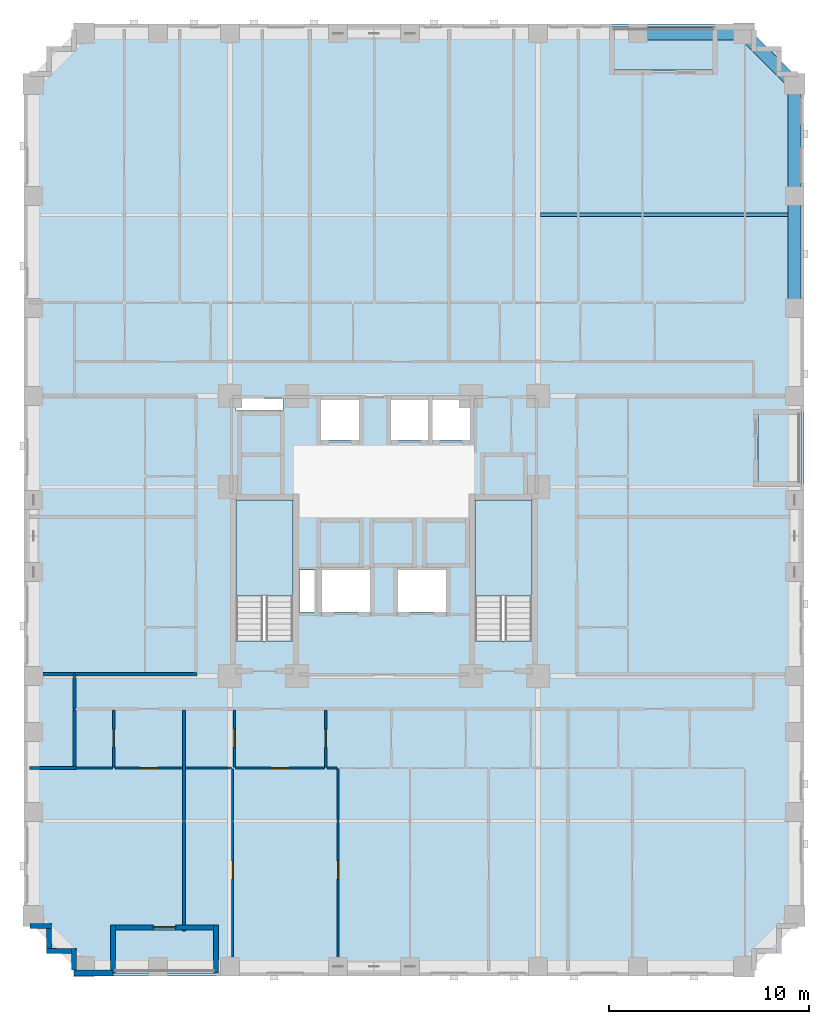
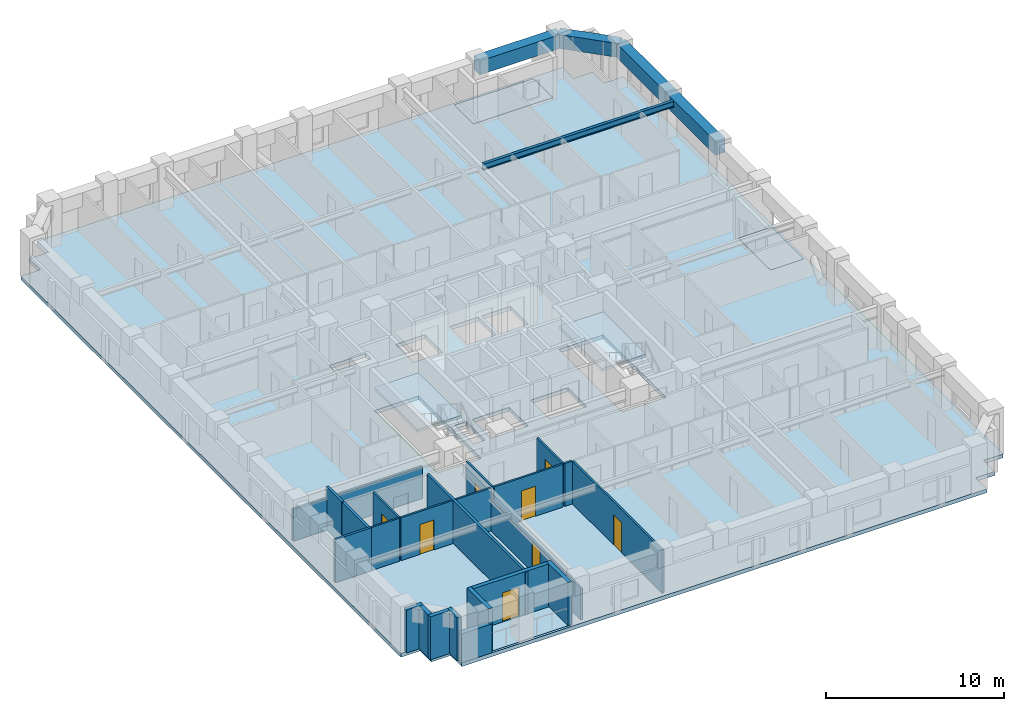
# One storey, part 2 of 13: 23 walls, 8 doors, 6 slabs, 5 beams, 8 openings, 2 elements without a shape of their own.
"""IFC4 building model written with IfcOpenShell, lengths in metres."""

from ifc_helpers import new_model, si_unit, derived_unit, direction, frame, frame_2d, origin, origin_2d, place, context, subcontext, project, spatial, polyline, rectangle, i_section, outline, extrude, material, layer, layer_set, material_profile, profile_set, type_object, element, fill, aggregate, save


model = new_model("IFC4")

# Units and contexts
model_context = context("Model", 3, precision=1e-05, world=origin(), true_north=direction((0.0, 1.0)))
body_context = subcontext(model_context, "Body", "Model", "MODEL_VIEW")
ifc_project = project(units=[si_unit("LENGTHUNIT", "METRE"), si_unit("AREAUNIT", "SQUARE_METRE"), si_unit("VOLUMEUNIT", "CUBIC_METRE"), si_unit("PLANEANGLEUNIT", "RADIAN"), si_unit("MASSUNIT", "GRAM", prefix="KILO"), derived_unit("THERMALTRANSMITTANCEUNIT", [(si_unit("MASSUNIT", "GRAM", prefix="KILO"), 1), (si_unit("TIMEUNIT", "SECOND"), -3), (si_unit("THERMODYNAMICTEMPERATUREUNIT", "KELVIN"), -1)])], contexts=[model_context])

# Site, building, storey
site_placement = place(None, origin())
site = spatial("IfcSite", under=ifc_project, at=site_placement, CompositionType="ELEMENT")
building_placement = place(site_placement, origin())
building = spatial("IfcBuilding", under=site, at=building_placement, Name="Korrvale Station Residences", CompositionType="ELEMENT")
storey_placement = place(building_placement, frame((0.0, 0.0, 32.199951171875)))
storey = spatial("IfcBuildingStorey", under=building, at=storey_placement, Name="L07", CompositionType="ELEMENT", Elevation=32.199951171875)

# Beams
ifc_material_1 = material(Name="Steel S355", Category="steel")
ifc_material_profile_1 = material_profile(ifc_material_1, i_section(OverallWidth=0.180908203125, OverallDepth=0.4169921875, WebThickness=0.010986328125, FlangeThickness=0.018310546875, FilletRadius=0.01611328125, at=origin_2d()), Name="W410x85")
ifc_profile_set_1 = profile_set([ifc_material_profile_1], Name="Steel S355")
beam_type_1 = type_object("IfcBeamType", Name="BM-JST-W410x85-S355", PredefinedType="JOIST", material=ifc_profile_set_1)
beam_1_placement = place(storey_placement, frame((33.333984375, 38.06005859375, 2.7314453125), z_axis=(1.0, 0.0, 0.0), x_axis=(0.0, 1.0, 0.0)))
element("IfcBeam", 1, at=beam_1_placement, inside=storey, type_object=beam_type_1, Name="L07 Floor Framing Joist 06", PredefinedType="JOIST", context=body_context, shape_type="SweptSolid", body=[
    extrude(i_section(OverallWidth=0.180908203125, OverallDepth=0.4169921875, WebThickness=0.010986328125, FlangeThickness=0.018310546875, FilletRadius=0.01611328125, at=origin_2d()), origin(), (0.0, 0.0, 1.0), 12.361083984375),
])
ifc_material_2 = material(Name="Concrete C70/85", Category="concrete")
ifc_material_profile_2 = material_profile(ifc_material_2, rectangle(XDim=0.64990234375, YDim=0.949951171875, at=origin_2d()), Name="RCB650x950")
ifc_profile_set_2 = profile_set([ifc_material_profile_2], Name="Concrete C70/85")
beam_type_2 = type_object("IfcBeamType", Name="BM-SPB-RCB650x950-C7085", PredefinedType="SPANDREL", material=ifc_profile_set_2)
beam_2_placement = place(storey_placement, frame((38.199951171875, 47.1201171875, 2.465087890625), z_axis=(1.0, 0.0, 0.0), x_axis=(0.0, 1.0, 0.0)))
element("IfcBeam", 2, at=beam_2_placement, inside=storey, type_object=beam_type_2, Name="L07 North Tube Spandrel 14", PredefinedType="SPANDREL", context=body_context, shape_type="SweptSolid", body=[
    extrude(rectangle(XDim=0.64990234375, YDim=0.949951171875, at=origin_2d()), origin(), (0.0, 0.0, 1.0), 5.300048828125),
])
for number, where, z_axis, x_axis, name in (
    (3, (46.02001953125, 33.39990234375, 2.465087890625), (0.0, 1.0, 0.0), (-1.0, 0.0, 0.0), "L07 East Tube Spandrel 31"),
    (4, (46.02001953125, 39.0, 2.465087890625), (0.0, 1.0, 0.0), (-1.0, 0.0, 0.0), "L07 East Tube Spandrel 32"),
):
    element("IfcBeam", number, at=place(storey_placement, frame(where, z_axis=z_axis, x_axis=x_axis)), inside=storey, type_object=beam_type_2, Name=name, PredefinedType="SPANDREL", context=body_context, shape_type="SweptSolid", body=[
        extrude(rectangle(XDim=0.64990234375, YDim=0.949951171875, at=origin_2d()), origin(), (0.0, 0.0, 1.0), 5.60009765625),
    ])
beam_3_placement = place(storey_placement, frame((43.5, 47.1201171875, 2.465087890625), z_axis=(0.707106781187, -0.707106781187, 0.0), x_axis=(0.707106781187, 0.707106781187, 0.0)))
element("IfcBeam", 5, at=beam_3_placement, inside=storey, type_object=beam_type_2, Name="L07 Serrated Corner Spandrel 35", PredefinedType="SPANDREL", context=body_context, shape_type="SweptSolid", body=[
    extrude(rectangle(XDim=0.64990234375, YDim=0.949951171875, at=origin_2d()), origin(), (0.0, 0.0, 1.0), 3.56396484375),
])

# Slabs
ifc_material_3 = material(Name="Concrete C50/60", Category="concrete")
ifc_layer_1 = layer(ifc_material_3, 0.219970703125, Name="Concrete C50/60")
ifc_layer_set_1 = layer_set([ifc_layer_1], Name="Concrete C50/60")
slab_type_1 = type_object("IfcSlabType", Name="SLB-BAL-220", PredefinedType="FLOOR", material=ifc_layer_set_1)
slab_1_placement = place(storey_placement, frame((0.0, 0.0, -0.219970703125)))
element("IfcSlab", 6, at=slab_1_placement, inside=storey, type_object=slab_type_1, Name="L07 Recessed Loggia Balcony Slab BAL-L07-S1", PredefinedType="FLOOR", context=body_context, shape_type="SweptSolid", body=[
    extrude(outline(polyline([(11.949951171875, 0.14990234375), (17.10009765625, 0.14990234375), (17.10009765625, 2.300048828125), (11.949951171875, 2.300048828125), (11.949951171875, 0.14990234375)])), origin(), (0.0, 0.0, 1.0), 0.219970703125),
])
slab_2_placement = place(storey_placement, frame((0.0, 0.0, -0.219970703125)))
element("IfcSlab", 7, at=slab_2_placement, inside=storey, type_object=slab_type_1, Name="L07 Recessed Loggia Balcony Slab BAL-L07-N1", PredefinedType="FLOOR", context=body_context, shape_type="SweptSolid", body=[
    extrude(outline(polyline([(36.89990234375, 45.300048828125), (42.050048828125, 45.300048828125), (42.050048828125, 47.449951171875), (36.89990234375, 47.449951171875), (36.89990234375, 45.300048828125)])), origin(), (0.0, 0.0, 1.0), 0.219970703125),
])
slab_3_placement = place(storey_placement, frame((0.0, 0.0, -0.219970703125)))
element("IfcSlab", 8, at=slab_3_placement, inside=storey, type_object=slab_type_1, Name="L07 Recessed Loggia Balcony Slab BAL-L07-E1", PredefinedType="FLOOR", context=body_context, shape_type="SweptSolid", body=[
    extrude(outline(polyline([(44.199951171875, 24.60009765625), (46.35009765625, 24.60009765625), (46.35009765625, 28.199951171875), (44.199951171875, 28.199951171875), (44.199951171875, 24.60009765625)])), origin(), (0.0, 0.0, 1.0), 0.219970703125),
])
ifc_layer_2 = layer(ifc_material_3, 0.260009765625, Name="Concrete C50/60")
ifc_layer_set_2 = layer_set([ifc_layer_2], Name="Concrete C50/60")
slab_type_2 = type_object("IfcSlabType", Name="SLB-FLR-260", PredefinedType="FLOOR", material=ifc_layer_set_2)
slab_4_placement = place(storey_placement, frame((0.0, 0.0, -0.260009765625)))
element("IfcSlab", 9, at=slab_4_placement, inside=storey, type_object=slab_type_2, Name="L07 Suspended Structural Floor Slab", PredefinedType="FLOOR", context=body_context, shape_type="SweptSolid", body=[
    extrude(outline(polyline([(10.0, 0.0), (44.0, 0.0), (44.0, 1.25), (45.25, 1.25), (45.25, 2.5), (46.5, 2.5), (46.5, 45.10009765625), (45.25, 45.10009765625), (45.25, 46.35009765625), (44.0, 46.35009765625), (44.0, 47.60009765625), (10.0, 47.60009765625), (10.0, 46.35009765625), (8.75, 46.35009765625), (8.75, 45.10009765625), (7.5, 45.10009765625), (7.5, 2.5), (8.75, 2.5), (8.75, 1.25), (10.0, 1.25), (10.0, 0.0)]), holes=[polyline([(20.949951171875, 16.751953125), (20.949951171875, 23.800048828125), (18.10009765625, 23.800048828125), (18.10009765625, 16.751953125), (20.949951171875, 16.751953125)]), polyline([(32.89990234375, 16.751953125), (32.89990234375, 23.800048828125), (30.050048828125, 23.800048828125), (30.050048828125, 16.751953125), (32.89990234375, 16.751953125)]), polyline([(22.35009765625, 26.800048828125), (24.25, 26.800048828125), (24.25, 28.800048828125), (22.35009765625, 28.800048828125), (22.35009765625, 26.800048828125)]), polyline([(25.85009765625, 26.800048828125), (27.7099609375, 26.800048828125), (27.7099609375, 28.800048828125), (25.85009765625, 28.800048828125), (25.85009765625, 26.800048828125)]), polyline([(27.929931640625, 26.800048828125), (29.7900390625, 26.800048828125), (29.7900390625, 28.800048828125), (27.929931640625, 28.800048828125), (27.929931640625, 26.800048828125)]), polyline([(22.39990234375, 18.199951171875), (24.800048828125, 18.199951171875), (24.800048828125, 20.300048828125), (22.39990234375, 20.300048828125), (22.39990234375, 18.199951171875)]), polyline([(26.199951171875, 18.199951171875), (28.60009765625, 18.199951171875), (28.60009765625, 20.300048828125), (26.199951171875, 20.300048828125), (26.199951171875, 18.199951171875)]), polyline([(18.10009765625, 28.280029296875), (20.449951171875, 28.280029296875), (20.449951171875, 28.8798828125), (18.10009765625, 28.8798828125), (18.10009765625, 28.280029296875)]), polyline([(21.280029296875, 18.199951171875), (22.02001953125, 18.199951171875), (22.02001953125, 20.300048828125), (21.280029296875, 20.300048828125), (21.280029296875, 18.199951171875)]), polyline([(11.949951171875, 0.14990234375), (17.10009765625, 0.14990234375), (17.10009765625, 2.300048828125), (11.949951171875, 2.300048828125), (11.949951171875, 0.14990234375)]), polyline([(36.89990234375, 45.300048828125), (42.050048828125, 45.300048828125), (42.050048828125, 47.449951171875), (36.89990234375, 47.449951171875), (36.89990234375, 45.300048828125)]), polyline([(44.199951171875, 24.60009765625), (46.35009765625, 24.60009765625), (46.35009765625, 28.199951171875), (44.199951171875, 28.199951171875), (44.199951171875, 24.60009765625)])]), origin(), (0.0, 0.0, 1.0), 0.260009765625),
])

# Stair, slab
stair_type = type_object("IfcStairType", Name="STR-DL-1350-18R-1778", PredefinedType="HALF_TURN_STAIR", material=ifc_material_3)
stair_1_placement = place(storey_placement, origin())
stair_1 = element("IfcStair", 10, at=stair_1_placement, inside=storey, type_object=stair_type, Name="L07 Exit Stair 1", PredefinedType="HALF_TURN_STAIR")
ifc_layer_3 = layer(ifc_material_3, 0.199951171875, Name="Concrete C50/60")
ifc_layer_set_3 = layer_set([ifc_layer_3], Name="Concrete C50/60")
slab_type_3 = type_object("IfcSlabType", Name="SLB-LND-200", PredefinedType="LANDING", material=ifc_layer_set_3)
slab_5_placement = place(storey_placement, frame((0.0, 0.0, 1.400146484375)))
slab_5 = element("IfcSlab", 11, at=slab_5_placement, type_object=slab_type_3, Name="ST-1 landing 1", PredefinedType="LANDING", context=body_context, shape_type="SweptSolid", body=[
    extrude(outline(polyline([(20.949951171875, 18.989990234375), (20.949951171875, 23.800048828125), (18.10009765625, 23.800048828125), (18.10009765625, 18.989990234375), (20.949951171875, 18.989990234375)])), origin(), (0.0, 0.0, 1.0), 0.199951171875),
])
aggregate(stair_1, [slab_5])

stair_2_placement = place(storey_placement, origin())
stair_2 = element("IfcStair", 12, at=stair_2_placement, inside=storey, type_object=stair_type, Name="L07 Exit Stair 2", PredefinedType="HALF_TURN_STAIR")
slab_6_placement = place(storey_placement, frame((0.0, 0.0, 1.400146484375)))
slab_6 = element("IfcSlab", 13, at=slab_6_placement, type_object=slab_type_3, Name="ST-2 landing 1", PredefinedType="LANDING", context=body_context, shape_type="SweptSolid", body=[
    extrude(outline(polyline([(32.89990234375, 18.989990234375), (32.89990234375, 23.800048828125), (30.050048828125, 23.800048828125), (30.050048828125, 18.989990234375), (32.89990234375, 18.989990234375)])), origin(), (0.0, 0.0, 1.0), 0.199951171875),
])
aggregate(stair_2, [slab_6])

# Wall
ifc_material_4 = material(Name="Precast concrete C45/55", Category="concrete")
ifc_layer_4 = layer(ifc_material_4, 0.260009765625, Name="Precast concrete C45/55")
ifc_layer_set_4 = layer_set([ifc_layer_4], Name="Precast concrete C45/55")
wall_type_1 = type_object("IfcWallType", Name="WAL-EXT-LOG260", PredefinedType="SOLIDWALL", material=ifc_layer_set_4)
wall_1_placement = place(storey_placement, frame((17.10009765625, 0.159912109375, 0.0), z_axis=(0.0, 0.0, 1.0), x_axis=(0.0, 1.0, 0.0)))
element("IfcWall", 14, at=wall_1_placement, inside=storey, type_object=wall_type_1, Name="L07 Recessed Loggia Wall BAL-L07-S1-L", PredefinedType="SOLIDWALL", context=body_context, shape_type="SweptSolid", body=[
    extrude(rectangle(XDim=2.400146484375, YDim=0.260009765625, at=frame_2d((1.2001953125, 0.0))), origin(), (0.0, 0.0, 1.0), 2.93994140625),
])

# Wall, opening, door
wall_2_placement = place(storey_placement, frame((16.966064453125, 2.429931640625, 0.0), z_axis=(0.0, 0.0, 1.0), x_axis=(-1.0, 0.0, 0.0)))
wall_2 = element("IfcWall", 15, at=wall_2_placement, inside=storey, type_object=wall_type_1, Name="L07 Recessed Loggia Wall BAL-L07-S1-B", PredefinedType="SOLIDWALL", context=body_context, shape_type="SweptSolid", body=[
    extrude(rectangle(XDim=4.882080078125, YDim=0.260009765625, at=frame_2d((2.44091796875, 0.0))), origin(), (0.0, 0.0, 1.0), 2.93994140625),
])
opening_1_placement = place(wall_2_placement, frame((1.89111328125, 0.0, 0.0)))
opening_1 = element("IfcOpeningElement", 16, at=opening_1_placement, cuts=wall_2, Name="Opening BD-01", PredefinedType="OPENING", context=body_context, shape_type="SweptSolid", body=[
    extrude(rectangle(XDim=1.10009765625, YDim=2.0, at=frame_2d((0.550048828125, 1.0))), frame((0.0, 0.14013671875, 0.0), z_axis=(0.0, -1.0, 0.0), x_axis=(1.0, 0.0, 0.0)), (0.0, 0.0, 1.0), 0.280029296875),
])
ifc_material_5 = material(Name="Exterior thermally broken aluminium glazed balcony door", Category="aluminium")
door_type_1 = type_object("IfcDoorType", Name="DR-EXT-BAL", OperationType="NOTDEFINED", PredefinedType="DOOR", material=ifc_material_5)
door_1_placement = place(opening_1_placement, origin())
door_1 = element("IfcDoor", 17, at=door_1_placement, inside=storey, type_object=door_type_1, Name="L07 Loggia Balcony Door BAL-L07-S1", OperationType="SINGLE_SWING_RIGHT", OverallHeight=2.0, OverallWidth=1.10009765625, PredefinedType="DOOR", context=body_context, shape_type="SweptSolid", body=[
    extrude(rectangle(XDim=1.10009765625, YDim=2.0, at=frame_2d((0.550048828125, 1.0))), frame((0.0, 0.02490234375, 0.0), z_axis=(0.0, -1.0, 0.0), x_axis=(1.0, 0.0, 0.0)), (0.0, 0.0, 1.0), 0.050048828125),
])
fill(opening_1, door_1)

# Walls
wall_3_placement = place(storey_placement, frame((11.949951171875, 2.56005859375, 0.0), z_axis=(0.0, 0.0, 1.0), x_axis=(0.0, -1.0, 0.0)))
element("IfcWall", 18, at=wall_3_placement, inside=storey, type_object=wall_type_1, Name="L07 Recessed Loggia Wall BAL-L07-S1-R", PredefinedType="SOLIDWALL", context=body_context, shape_type="SweptSolid", body=[
    extrude(rectangle(XDim=2.400146484375, YDim=0.260009765625, at=frame_2d((1.2001953125, 0.0))), origin(), (0.0, 0.0, 1.0), 2.93994140625),
])
wall_4_placement = place(storey_placement, frame((10.0, 0.302001953125, 0.0), z_axis=(0.0, 0.0, 1.0), x_axis=(0.0, 1.0, 0.0)))
element("IfcWall", 19, at=wall_4_placement, inside=storey, type_object=wall_type_1, Name="L07 Serrated Corner Precast Step SW-1", PredefinedType="SOLIDWALL", context=body_context, shape_type="SweptSolid", body=[
    extrude(rectangle(XDim=1.077880859375, YDim=0.260009765625, at=frame_2d((0.5390625, 0.0))), origin(), (0.0, 0.0, 1.0), 2.93994140625),
])
wall_5_placement = place(storey_placement, frame((9.867919921875, 1.25, 0.0), z_axis=(0.0, 0.0, 1.0), x_axis=(-1.0, 0.0, 0.0)))
element("IfcWall", 20, at=wall_5_placement, inside=storey, type_object=wall_type_1, Name="L07 Serrated Corner Precast Step SW-2", PredefinedType="SOLIDWALL", context=body_context, shape_type="SweptSolid", body=[
    extrude(rectangle(XDim=1.247802734375, YDim=0.260009765625, at=frame_2d((0.6240234375, 0.0))), origin(), (0.0, 0.0, 1.0), 2.93994140625),
])
wall_6_placement = place(storey_placement, frame((8.75, 1.382080078125, 0.0), z_axis=(0.0, 0.0, 1.0), x_axis=(0.0, 1.0, 0.0)))
element("IfcWall", 21, at=wall_6_placement, inside=storey, type_object=wall_type_1, Name="L07 Serrated Corner Precast Step SW-3", PredefinedType="SOLIDWALL", context=body_context, shape_type="SweptSolid", body=[
    extrude(rectangle(XDim=0.98583984375, YDim=0.260009765625, at=frame_2d((0.492919921875, 0.0))), origin(), (0.0, 0.0, 1.0), 2.93994140625),
])
wall_7_placement = place(storey_placement, frame((8.8798828125, 2.5, 0.0), z_axis=(0.0, 0.0, 1.0), x_axis=(-1.0, 0.0, 0.0)))
element("IfcWall", 22, at=wall_7_placement, inside=storey, type_object=wall_type_1, Name="L07 Serrated Corner Precast Step SW-4", PredefinedType="SOLIDWALL", context=body_context, shape_type="SweptSolid", body=[
    extrude(rectangle(XDim=1.077880859375, YDim=0.260009765625, at=frame_2d((0.5390625, 0.0))), origin(), (0.0, 0.0, 1.0), 2.93994140625),
])
ifc_layer_5 = layer(ifc_material_4, 0.300048828125, Name="Precast concrete C45/55")
ifc_layer_set_5 = layer_set([ifc_layer_5], Name="Precast concrete C45/55")
wall_type_2 = type_object("IfcWallType", Name="WAL-EXT-PC300", PredefinedType="SOLIDWALL", material=ifc_layer_set_5)
wall_8_placement = place(storey_placement, frame((11.949951171875, 0.14990234375, 0.0), z_axis=(0.0, 0.0, 1.0), x_axis=(-1.0, 0.0, 0.0)))
element("IfcWall", 23, at=wall_8_placement, inside=storey, type_object=wall_type_2, Name="L07 South Exterior Precast Wall 2", PredefinedType="SOLIDWALL", context=body_context, shape_type="SweptSolid", body=[
    extrude(rectangle(XDim=1.949951171875, YDim=0.300048828125, at=frame_2d((0.97509765625, 0.0))), origin(), (0.0, 0.0, 1.0), 1.97509765625),
])

# Wall, opening, door
ifc_material_6 = material(Name="Acoustic steel-stud gypsum board partition", Category="steel")
ifc_layer_6 = layer(ifc_material_6, 0.1201171875, Name="Acoustic steel-stud gypsum board partition")
ifc_layer_set_6 = layer_set([ifc_layer_6], Name="Acoustic steel-stud gypsum board partition")
wall_type_3 = type_object("IfcWallType", Name="WAL-PART-125", PredefinedType="PARTITIONING", material=ifc_layer_set_6)
wall_9_placement = place(storey_placement, frame((11.989990234375, 10.4599609375, 0.0), z_axis=(0.0, 0.0, 1.0), x_axis=(0.0, 1.0, 0.0)))
wall_9 = element("IfcWall", 24, at=wall_9_placement, inside=storey, type_object=wall_type_3, Name="L07 Suite Partition U01-V01", PredefinedType="PARTITIONING", context=body_context, shape_type="SweptSolid", body=[
    extrude(rectangle(XDim=2.85009765625, YDim=0.1201171875, at=frame_2d((1.425048828125, 0.0))), origin(), (0.0, 0.0, 1.0), 2.93994140625),
])
opening_2_placement = place(wall_9_placement, frame((0.9951171875, 0.0, 0.0)))
opening_2 = element("IfcOpeningElement", 25, at=opening_2_placement, cuts=wall_9, Name="Opening DB-860", PredefinedType="OPENING", context=body_context, shape_type="SweptSolid", body=[
    extrude(rectangle(XDim=0.860107421875, YDim=2.050048828125, at=frame_2d((0.43017578125, 1.02490234375))), frame((0.0, 0.070068359375, 0.0), z_axis=(0.0, -1.0, 0.0), x_axis=(1.0, 0.0, 0.0)), (0.0, 0.0, 1.0), 0.14013671875),
])
ifc_material_7 = material(Name="Moisture-resistant solid-core bathroom door", Category="timber")
door_type_2 = type_object("IfcDoorType", Name="DR-BATH-860", OperationType="NOTDEFINED", PredefinedType="DOOR", material=ifc_material_7)
door_2_placement = place(opening_2_placement, origin())
door_2 = element("IfcDoor", 26, at=door_2_placement, inside=storey, type_object=door_type_2, Name="L07 Studio Apartment L07-U01 Bathroom Door", OperationType="SINGLE_SWING_RIGHT", OverallHeight=2.050048828125, OverallWidth=0.860107421875, PredefinedType="DOOR", context=body_context, shape_type="SweptSolid", body=[
    extrude(rectangle(XDim=0.860107421875, YDim=2.050048828125, at=frame_2d((0.43017578125, 1.02490234375))), frame((0.0, 0.02490234375, 0.0), z_axis=(0.0, -1.0, 0.0), x_axis=(1.0, 0.0, 0.0)), (0.0, 0.0, 1.0), 0.050048828125),
])
fill(opening_2, door_2)

# Wall
wall_10_placement = place(storey_placement, frame((10.080078125, 10.39990234375, 0.0), z_axis=(0.0, 0.0, 1.0), x_axis=(1.0, 0.0, 0.0)))
element("IfcWall", 27, at=wall_10_placement, inside=storey, type_object=wall_type_3, Name="L07 Suite Partition U01-H02", PredefinedType="PARTITIONING", context=body_context, shape_type="SweptSolid", body=[
    extrude(rectangle(XDim=1.849853515625, YDim=0.1201171875, at=frame_2d((0.9248046875, 0.0))), origin(), (0.0, 0.0, 1.0), 2.93994140625),
])

# Wall, opening, door
wall_11_placement = place(storey_placement, frame((12.050048828125, 10.39990234375, 0.0), z_axis=(0.0, 0.0, 1.0), x_axis=(1.0, 0.0, 0.0)))
wall_11 = element("IfcWall", 28, at=wall_11_placement, inside=storey, type_object=wall_type_3, Name="L07 Suite Partition U01-H12", PredefinedType="PARTITIONING", context=body_context, shape_type="SweptSolid", body=[
    extrude(rectangle(XDim=3.35595703125, YDim=0.1201171875, at=frame_2d((1.677978515625, 0.0))), origin(), (0.0, 0.0, 1.0), 2.93994140625),
])
opening_3_placement = place(wall_11_placement, frame((1.22802734375, 0.0, 0.0)))
opening_3 = element("IfcOpeningElement", 29, at=opening_3_placement, cuts=wall_11, Name="Opening DI-900", PredefinedType="OPENING", context=body_context, shape_type="SweptSolid", body=[
    extrude(rectangle(XDim=0.89990234375, YDim=2.050048828125, at=frame_2d((0.449951171875, 1.02490234375))), frame((0.0, 0.070068359375, 0.0), z_axis=(0.0, -1.0, 0.0), x_axis=(1.0, 0.0, 0.0)), (0.0, 0.0, 1.0), 0.14013671875),
])
ifc_material_8 = material(Name="Painted solid-core timber interior room door", Category="wood")
door_type_3 = type_object("IfcDoorType", Name="DR-INT-900", OperationType="NOTDEFINED", PredefinedType="DOOR", material=ifc_material_8)
door_3_placement = place(opening_3_placement, origin())
door_3 = element("IfcDoor", 30, at=door_3_placement, inside=storey, type_object=door_type_3, Name="L07 Studio Apartment L07-U01 Kitchen Door", OperationType="SINGLE_SWING_LEFT", OverallHeight=2.050048828125, OverallWidth=0.89990234375, PredefinedType="DOOR", context=body_context, shape_type="SweptSolid", body=[
    extrude(rectangle(XDim=0.89990234375, YDim=2.050048828125, at=frame_2d((0.449951171875, 1.02490234375))), frame((0.0, 0.02490234375, 0.0), z_axis=(0.0, -1.0, 0.0), x_axis=(1.0, 0.0, 0.0)), (0.0, 0.0, 1.0), 0.050048828125),
])
fill(opening_3, door_3)

wall_12_placement = place(storey_placement, frame((18.02587890625, 10.4599609375, 0.0), z_axis=(0.0, 0.0, 1.0), x_axis=(0.0, 1.0, 0.0)))
wall_12 = element("IfcWall", 31, at=wall_12_placement, inside=storey, type_object=wall_type_3, Name="L07 Suite Partition U02-V01", PredefinedType="PARTITIONING", context=body_context, shape_type="SweptSolid", body=[
    extrude(rectangle(XDim=2.85009765625, YDim=0.1201171875, at=frame_2d((1.425048828125, 0.0))), origin(), (0.0, 0.0, 1.0), 2.93994140625),
])
opening_4_placement = place(wall_12_placement, frame((0.9951171875, 0.0, 0.0)))
opening_4 = element("IfcOpeningElement", 32, at=opening_4_placement, cuts=wall_12, Name="Opening DB-860", PredefinedType="OPENING", context=body_context, shape_type="SweptSolid", body=[
    extrude(rectangle(XDim=0.860107421875, YDim=2.050048828125, at=frame_2d((0.43017578125, 1.02490234375))), frame((0.0, 0.070068359375, 0.0), z_axis=(0.0, -1.0, 0.0), x_axis=(1.0, 0.0, 0.0)), (0.0, 0.0, 1.0), 0.14013671875),
])
door_4_placement = place(opening_4_placement, origin())
door_4 = element("IfcDoor", 33, at=door_4_placement, inside=storey, type_object=door_type_2, Name="L07 Apartment 2BR L07-U02 Bathroom Door", OperationType="SINGLE_SWING_RIGHT", OverallHeight=2.050048828125, OverallWidth=0.860107421875, PredefinedType="DOOR", context=body_context, shape_type="SweptSolid", body=[
    extrude(rectangle(XDim=0.860107421875, YDim=2.050048828125, at=frame_2d((0.43017578125, 1.02490234375))), frame((0.0, 0.02490234375, 0.0), z_axis=(0.0, -1.0, 0.0), x_axis=(1.0, 0.0, 0.0)), (0.0, 0.0, 1.0), 0.050048828125),
])
fill(opening_4, door_4)

# Wall
wall_13_placement = place(storey_placement, frame((15.56591796875, 10.39990234375, 0.0), z_axis=(0.0, 0.0, 1.0), x_axis=(1.0, 0.0, 0.0)))
element("IfcWall", 34, at=wall_13_placement, inside=storey, type_object=wall_type_3, Name="L07 Suite Partition U02-H06", PredefinedType="PARTITIONING", context=body_context, shape_type="SweptSolid", body=[
    extrude(rectangle(XDim=2.300048828125, YDim=0.1201171875, at=frame_2d((1.14990234375, 0.0))), origin(), (0.0, 0.0, 1.0), 2.93994140625),
])

# Wall, opening, door
wall_14_placement = place(storey_placement, frame((22.5859375, 10.4599609375, 0.0), z_axis=(0.0, 0.0, 1.0), x_axis=(0.0, 1.0, 0.0)))
wall_14 = element("IfcWall", 35, at=wall_14_placement, inside=storey, type_object=wall_type_3, Name="L07 Suite Partition U02-V12", PredefinedType="PARTITIONING", context=body_context, shape_type="SweptSolid", body=[
    extrude(rectangle(XDim=2.85009765625, YDim=0.1201171875, at=frame_2d((1.425048828125, 0.0))), origin(), (0.0, 0.0, 1.0), 2.93994140625),
])
opening_5_placement = place(wall_14_placement, frame((0.97509765625, 0.0, 0.0)))
opening_5 = element("IfcOpeningElement", 36, at=opening_5_placement, cuts=wall_14, Name="Opening DI-900", PredefinedType="OPENING", context=body_context, shape_type="SweptSolid", body=[
    extrude(rectangle(XDim=0.89990234375, YDim=2.050048828125, at=frame_2d((0.449951171875, 1.02490234375))), frame((0.0, 0.070068359375, 0.0), z_axis=(0.0, -1.0, 0.0), x_axis=(1.0, 0.0, 0.0)), (0.0, 0.0, 1.0), 0.14013671875),
])
door_5_placement = place(opening_5_placement, origin())
door_5 = element("IfcDoor", 37, at=door_5_placement, inside=storey, type_object=door_type_3, Name="L07 Apartment 2BR L07-U02 Kitchen Door", OperationType="SINGLE_SWING_LEFT", OverallHeight=2.050048828125, OverallWidth=0.89990234375, PredefinedType="DOOR", context=body_context, shape_type="SweptSolid", body=[
    extrude(rectangle(XDim=0.89990234375, YDim=2.050048828125, at=frame_2d((0.449951171875, 1.02490234375))), frame((0.0, 0.02490234375, 0.0), z_axis=(0.0, -1.0, 0.0), x_axis=(1.0, 0.0, 0.0)), (0.0, 0.0, 1.0), 0.050048828125),
])
fill(opening_5, door_5)

wall_15_placement = place(storey_placement, frame((18.0859375, 10.39990234375, 0.0), z_axis=(0.0, 0.0, 1.0), x_axis=(1.0, 0.0, 0.0)))
wall_15 = element("IfcWall", 38, at=wall_15_placement, inside=storey, type_object=wall_type_3, Name="L07 Suite Partition U02-H17", PredefinedType="PARTITIONING", context=body_context, shape_type="SweptSolid", body=[
    extrude(rectangle(XDim=4.43994140625, YDim=0.1201171875, at=frame_2d((2.219970703125, 0.0))), origin(), (0.0, 0.0, 1.0), 2.93994140625),
])
opening_6_placement = place(wall_15_placement, frame((1.77001953125, 0.0, 0.0)))
opening_6 = element("IfcOpeningElement", 39, at=opening_6_placement, cuts=wall_15, Name="Opening DI-900", PredefinedType="OPENING", context=body_context, shape_type="SweptSolid", body=[
    extrude(rectangle(XDim=0.89990234375, YDim=2.050048828125, at=frame_2d((0.449951171875, 1.02490234375))), frame((0.0, 0.070068359375, 0.0), z_axis=(0.0, -1.0, 0.0), x_axis=(1.0, 0.0, 0.0)), (0.0, 0.0, 1.0), 0.14013671875),
])
door_6_placement = place(opening_6_placement, origin())
door_6 = element("IfcDoor", 40, at=door_6_placement, inside=storey, type_object=door_type_3, Name="L07 Apartment 2BR L07-U02 Kitchen Door", OperationType="SINGLE_SWING_RIGHT", OverallHeight=2.050048828125, OverallWidth=0.89990234375, PredefinedType="DOOR", context=body_context, shape_type="SweptSolid", body=[
    extrude(rectangle(XDim=0.89990234375, YDim=2.050048828125, at=frame_2d((0.449951171875, 1.02490234375))), frame((0.0, 0.02490234375, 0.0), z_axis=(0.0, -1.0, 0.0), x_axis=(1.0, 0.0, 0.0)), (0.0, 0.0, 1.0), 0.050048828125),
])
fill(opening_6, door_6)

# Wall
wall_16_placement = place(storey_placement, frame((22.64599609375, 10.39990234375, 0.0), z_axis=(0.0, 0.0, 1.0), x_axis=(1.0, 0.0, 0.0)))
element("IfcWall", 41, at=wall_16_placement, inside=storey, type_object=wall_type_3, Name="L07 Suite Partition U02-H27", PredefinedType="PARTITIONING", context=body_context, shape_type="SweptSolid", body=[
    extrude(rectangle(XDim=0.493896484375, YDim=0.1201171875, at=frame_2d((0.2470703125, 0.0))), origin(), (0.0, 0.0, 1.0), 2.93994140625),
])

# Wall, opening, door
wall_17_placement = place(storey_placement, frame((17.926025390625, 0.280029296875, 0.0), z_axis=(0.0, 0.0, 1.0), x_axis=(0.0, 1.0, 0.0)))
wall_17 = element("IfcWall", 42, at=wall_17_placement, inside=storey, type_object=wall_type_3, Name="L07 Suite Partition U02-V67", PredefinedType="PARTITIONING", context=body_context, shape_type="SweptSolid", body=[
    extrude(rectangle(XDim=10.06005859375, YDim=0.1201171875, at=frame_2d((5.030029296875, 0.0))), origin(), (0.0, 0.0, 1.0), 2.155029296875),
])
opening_7_placement = place(wall_17_placement, frame((4.56494140625, 0.0, 0.0)))
opening_7 = element("IfcOpeningElement", 43, at=opening_7_placement, cuts=wall_17, Name="Opening DI-900", PredefinedType="OPENING", context=body_context, shape_type="SweptSolid", body=[
    extrude(rectangle(XDim=0.89990234375, YDim=2.050048828125, at=frame_2d((0.449951171875, 1.02490234375))), frame((0.0, 0.070068359375, 0.0), z_axis=(0.0, -1.0, 0.0), x_axis=(1.0, 0.0, 0.0)), (0.0, 0.0, 1.0), 0.14013671875),
])
door_7_placement = place(opening_7_placement, origin())
door_7 = element("IfcDoor", 44, at=door_7_placement, inside=storey, type_object=door_type_3, Name="L07 Apartment 2BR L07-U02 Wardrobe Storage Room Door", OperationType="SINGLE_SWING_RIGHT", OverallHeight=2.050048828125, OverallWidth=0.89990234375, PredefinedType="DOOR", context=body_context, shape_type="SweptSolid", body=[
    extrude(rectangle(XDim=0.89990234375, YDim=2.050048828125, at=frame_2d((0.449951171875, 1.02490234375))), frame((0.0, 0.02490234375, 0.0), z_axis=(0.0, -1.0, 0.0), x_axis=(1.0, 0.0, 0.0)), (0.0, 0.0, 1.0), 0.050048828125),
])
fill(opening_7, door_7)

wall_18_placement = place(storey_placement, frame((23.199951171875, 0.280029296875, 0.0), z_axis=(0.0, 0.0, 1.0), x_axis=(0.0, 1.0, 0.0)))
wall_18 = element("IfcWall", 45, at=wall_18_placement, inside=storey, type_object=wall_type_3, Name="L07 Suite Partition U02-V78", PredefinedType="PARTITIONING", context=body_context, shape_type="SweptSolid", body=[
    extrude(rectangle(XDim=10.06005859375, YDim=0.1201171875, at=frame_2d((5.030029296875, 0.0))), origin(), (0.0, 0.0, 1.0), 2.93994140625),
])
opening_8_placement = place(wall_18_placement, frame((4.56494140625, 0.0, 0.0)))
opening_8 = element("IfcOpeningElement", 46, at=opening_8_placement, cuts=wall_18, Name="Opening DI-900", PredefinedType="OPENING", context=body_context, shape_type="SweptSolid", body=[
    extrude(rectangle(XDim=0.89990234375, YDim=2.050048828125, at=frame_2d((0.449951171875, 1.02490234375))), frame((0.0, 0.070068359375, 0.0), z_axis=(0.0, -1.0, 0.0), x_axis=(1.0, 0.0, 0.0)), (0.0, 0.0, 1.0), 0.14013671875),
])
door_8_placement = place(opening_8_placement, origin())
door_8 = element("IfcDoor", 47, at=door_8_placement, inside=storey, type_object=door_type_3, Name="L07 Apartment 2BR L07-U02 Living and Dining Room Door", OperationType="SINGLE_SWING_LEFT", OverallHeight=2.050048828125, OverallWidth=0.89990234375, PredefinedType="DOOR", context=body_context, shape_type="SweptSolid", body=[
    extrude(rectangle(XDim=0.89990234375, YDim=2.050048828125, at=frame_2d((0.449951171875, 1.02490234375))), frame((0.0, 0.02490234375, 0.0), z_axis=(0.0, -1.0, 0.0), x_axis=(1.0, 0.0, 0.0)), (0.0, 0.0, 1.0), 0.050048828125),
])
fill(opening_8, door_8)

# Walls
ifc_material_9 = material(Name="Fire-rated twin-stud gypsum and mineral wool shaftwall assembly", Category="gypsum")
ifc_layer_7 = layer(ifc_material_9, 0.159912109375, Name="Fire-rated twin-stud gypsum and mineral wool shaftwall assembly")
ifc_layer_set_7 = layer_set([ifc_layer_7], Name="Fire-rated twin-stud gypsum and mineral wool shaftwall assembly")
wall_type_4 = type_object("IfcWallType", Name="WAL-PART-200", PredefinedType="PARTITIONING", material=ifc_layer_set_7)
wall_19_placement = place(storey_placement, frame((10.02001953125, 13.35009765625, 0.0), z_axis=(0.0, 0.0, 1.0), x_axis=(0.0, 1.0, 0.0)))
element("IfcWall", 48, at=wall_19_placement, inside=storey, type_object=wall_type_4, Name="L07 Corridor South West Cap", PredefinedType="PARTITIONING", context=body_context, shape_type="SweptSolid", body=[
    extrude(rectangle(XDim=1.739990234375, YDim=0.159912109375, at=frame_2d((0.8701171875, 0.0))), origin(), (0.0, 0.0, 1.0), 2.93994140625),
])
wall_20_placement = place(storey_placement, frame((7.780029296875, 15.090087890625, 0.0), z_axis=(0.0, 0.0, 1.0), x_axis=(1.0, 0.0, 0.0)))
element("IfcWall", 49, at=wall_20_placement, inside=storey, type_object=wall_type_4, Name="L07 West Wing South Corridor Wall", PredefinedType="PARTITIONING", context=body_context, shape_type="SweptSolid", body=[
    extrude(rectangle(XDim=8.35986328125, YDim=0.159912109375, at=frame_2d((4.179931640625, 0.0))), origin(), (0.0, 0.0, 1.0), 2.155029296875),
])
wall_21_placement = place(storey_placement, frame((7.780029296875, 10.39990234375, 0.0), z_axis=(0.0, 0.0, 1.0), x_axis=(1.0, 0.0, 0.0)))
element("IfcWall", 50, at=wall_21_placement, inside=storey, type_object=wall_type_4, Name="L07 Corner Step Wall U01-L", PredefinedType="PARTITIONING", context=body_context, shape_type="SweptSolid", body=[
    extrude(rectangle(XDim=2.340087890625, YDim=0.159912109375, at=frame_2d((1.169921875, 0.0))), origin(), (0.0, 0.0, 1.0), 2.93994140625),
])
wall_22_placement = place(storey_placement, frame((10.02001953125, 10.39990234375, 0.0), z_axis=(0.0, 0.0, 1.0), x_axis=(0.0, 1.0, 0.0)))
element("IfcWall", 51, at=wall_22_placement, inside=storey, type_object=wall_type_4, Name="L07 Corner Step Cheek U01-L", PredefinedType="PARTITIONING", context=body_context, shape_type="SweptSolid", body=[
    extrude(rectangle(XDim=2.91015625, YDim=0.159912109375, at=frame_2d((1.455078125, 0.0))), origin(), (0.0, 0.0, 1.0), 2.93994140625),
])
wall_23_placement = place(storey_placement, frame((15.506103515625, 2.260009765625, 0.0), z_axis=(0.0, 0.0, 1.0), x_axis=(0.0, 1.0, 0.0)))
element("IfcWall", 52, at=wall_23_placement, inside=storey, type_object=wall_type_4, Name="L07 Demising Wall U02-W", PredefinedType="PARTITIONING", context=body_context, shape_type="SweptSolid", body=[
    extrude(rectangle(XDim=11.050048828125, YDim=0.159912109375, at=frame_2d((5.52490234375, 0.0))), origin(), (0.0, 0.0, 1.0), 2.93994140625),
])

save(model, "model.ifc")
